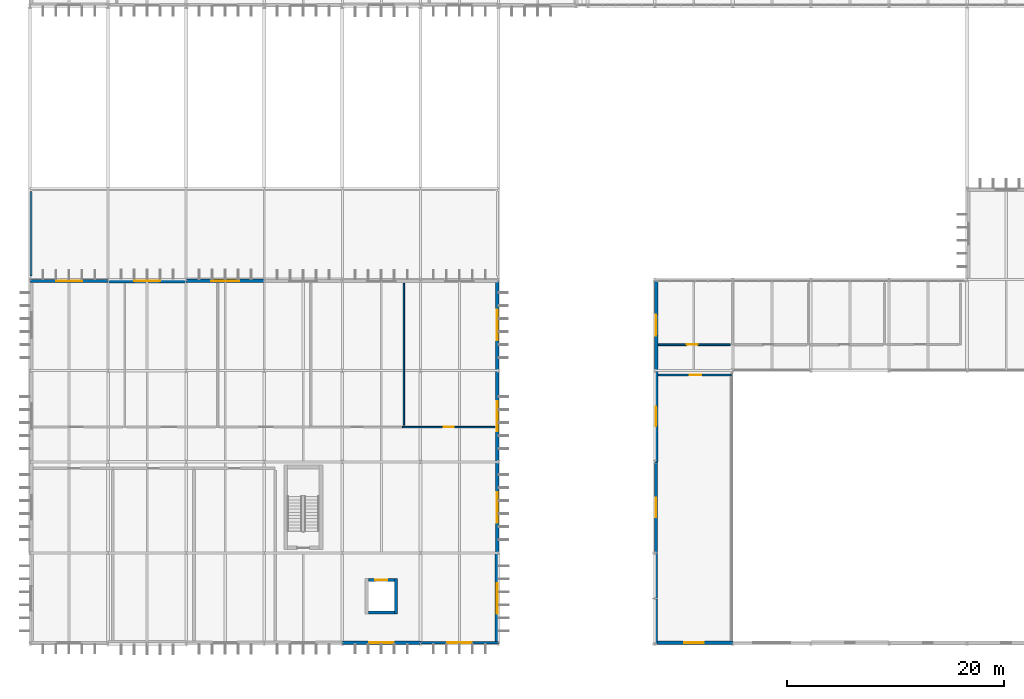
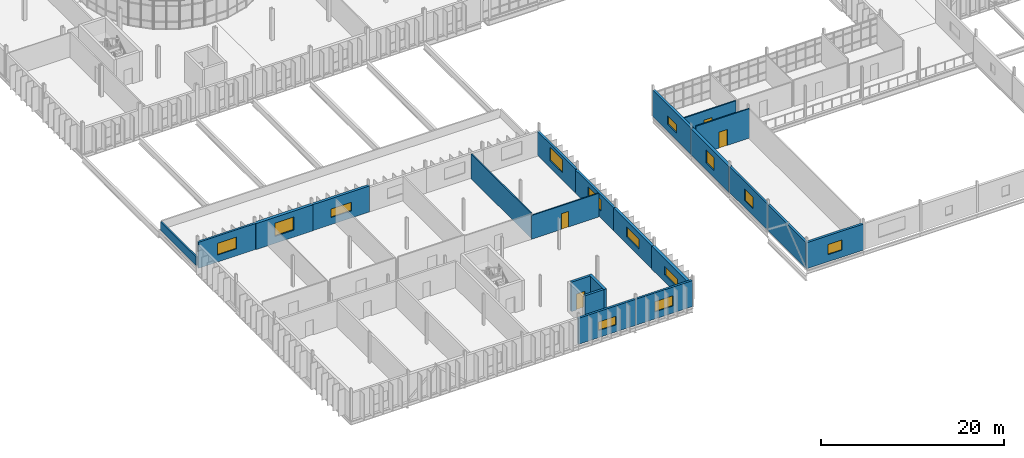
# One storey, part 92 of 119: 22 walls, 13 windows, 4 doors, 17 openings.
"""IFC4 building model written with IfcOpenShell, lengths in metres."""

from ifc_helpers import new_model, si_unit, direction, frame, frame_2d, origin, place, context, subcontext, project, spatial, rectangle, extrude, material, layer, layer_set, type_object, element, fill, save


model = new_model("IFC4")

# Units and contexts
model_context = context("Model", 3, precision=1e-05, world=origin(), true_north=direction((0.0, 1.0)))
body_context = subcontext(model_context, "Body", "Model", "MODEL_VIEW")
ifc_project = project(units=[si_unit("LENGTHUNIT", "METRE"), si_unit("AREAUNIT", "SQUARE_METRE"), si_unit("VOLUMEUNIT", "CUBIC_METRE"), si_unit("PLANEANGLEUNIT", "RADIAN"), si_unit("MASSUNIT", "GRAM", prefix="KILO")], contexts=[model_context])

# Site, building, storey
site_placement = place(None, origin())
site = spatial("IfcSite", under=ifc_project, at=site_placement, CompositionType="ELEMENT")
building_placement = place(site_placement, origin())
building = spatial("IfcBuilding", under=site, at=building_placement, Name="Qelthora Terrace Specialist Clinic", CompositionType="ELEMENT")
storey_placement = place(building_placement, frame((0.0, 0.0, 4.800048828125)))
storey = spatial("IfcBuildingStorey", under=building, at=storey_placement, Name="L01", CompositionType="ELEMENT", Elevation=4.800048828125)

# Wall
ifc_material_1 = material(Name="Concrete C40/50", Category="concrete")
ifc_layer_1 = layer(ifc_material_1, 0.300048828125)
ifc_layer_set_1 = layer_set([ifc_layer_1], Name="Concrete C40/50")
wall_type_1 = type_object("IfcWallType", Name="WAL-CORE-300-C40", PredefinedType="SHEAR", material=ifc_layer_set_1)
wall_1_placement = place(storey_placement, frame((33.75, 2.75, 0.0), z_axis=(0.0, 0.0, 1.0), x_axis=(0.0, 1.0, 0.0)))
element("IfcWall", 1, at=wall_1_placement, inside=storey, type_object=wall_type_1, Name="Lift PL-03 L01 east shaft wall", PredefinedType="SHEAR", context=body_context, shape_type="SweptSolid", body=[
    extrude(rectangle(XDim=3.300048828125, YDim=0.300048828125, at=frame_2d((1.64990234375, 0.0))), origin(), (0.0, 0.0, 1.0), 3.9599609375),
])

# Wall, opening, door
wall_2_placement = place(storey_placement, frame((31.199951171875, 5.89990234375, 0.0), z_axis=(0.0, 0.0, 1.0), x_axis=(1.0, 0.0, 0.0)))
wall_2 = element("IfcWall", 2, at=wall_2_placement, inside=storey, type_object=wall_type_1, Name="Lift PL-03 L01 north shaft wall", PredefinedType="SHEAR", context=body_context, shape_type="SweptSolid", body=[
    extrude(rectangle(XDim=2.400146484375, YDim=0.300048828125, at=frame_2d((1.2001953125, 0.0))), origin(), (0.0, 0.0, 1.0), 3.9599609375),
])
opening_1_placement = place(wall_2_placement, frame((0.64990234375, 0.0, 0.0)))
opening_1 = element("IfcOpeningElement", 3, at=opening_1_placement, cuts=wall_2, Name="Opening LD-PL-03-L01", PredefinedType="OPENING", context=body_context, shape_type="SweptSolid", body=[
    extrude(rectangle(XDim=1.10009765625, YDim=2.14990234375, at=frame_2d((0.550048828125, 1.074951171875))), frame((0.0, 0.159912109375, 0.0), z_axis=(0.0, -1.0, 0.0), x_axis=(1.0, 0.0, 0.0)), (0.0, 0.0, 1.0), 0.320068359375),
])
ifc_material_2 = material(Name="Steel S355", Category="steel")
door_type_1 = type_object("IfcDoorType", Name="DOR-LIFT-1100X2150", OperationType="NOTDEFINED", PredefinedType="DOOR", material=ifc_material_2)
door_1_placement = place(opening_1_placement, origin())
door_1 = element("IfcDoor", 4, at=door_1_placement, inside=storey, type_object=door_type_1, Name="Lift landing sliding door LD-PL-03-L01", OperationType="DOUBLE_DOOR_SLIDING", OverallHeight=2.14990234375, OverallWidth=1.10009765625, PredefinedType="DOOR", context=body_context, shape_type="SweptSolid", body=[
    extrude(rectangle(XDim=1.10009765625, YDim=2.14990234375, at=frame_2d((0.550048828125, 1.074951171875))), frame((0.0, 0.02490234375, 0.0), z_axis=(0.0, -1.0, 0.0), x_axis=(1.0, 0.0, 0.0)), (0.0, 0.0, 1.0), 0.050048828125),
])
fill(opening_1, door_1)

# Wall
wall_3_placement = place(storey_placement, frame((31.199951171875, 2.89990234375, 0.0), z_axis=(0.0, 0.0, 1.0), x_axis=(1.0, 0.0, 0.0)))
element("IfcWall", 5, at=wall_3_placement, inside=storey, type_object=wall_type_1, Name="Lift PL-03 L01 south shaft wall", PredefinedType="SHEAR", context=body_context, shape_type="SweptSolid", body=[
    extrude(rectangle(XDim=2.400146484375, YDim=0.300048828125, at=frame_2d((1.2001953125, 0.0))), origin(), (0.0, 0.0, 1.0), 3.9599609375),
])

# Wall, opening, window
ifc_material_3 = material(Name="Precast concrete C40/50", Category="concrete")
ifc_layer_2 = layer(ifc_material_3, 0.260009765625)
ifc_layer_set_2 = layer_set([ifc_layer_2], Name="Precast concrete C40/50")
wall_type_2 = type_object("IfcWallType", Name="WAL-EXT-260-PC40", PredefinedType="SOLIDWALL", material=ifc_layer_set_2)
wall_4_placement = place(storey_placement, frame((57.719970703125, 8.39990234375, 0.0), z_axis=(0.0, 0.0, 1.0), x_axis=(0.0, 1.0, 0.0)))
wall_4 = element("IfcWall", 6, at=wall_4_placement, inside=storey, type_object=wall_type_2, Name="L01 external precast wall 114", PredefinedType="SOLIDWALL", context=body_context, shape_type="SweptSolid", body=[
    extrude(rectangle(XDim=8.400146484375, YDim=0.260009765625, at=frame_2d((4.2001953125, 0.0))), origin(), (0.0, 0.0, 1.0), 3.475830078125),
])
opening_2_placement = place(wall_4_placement, frame((3.300048828125, 0.0, 0.949951171875)))
opening_2 = element("IfcOpeningElement", 7, at=opening_2_placement, cuts=wall_4, Name="Opening WN-L01-087", PredefinedType="OPENING", context=body_context, shape_type="SweptSolid", body=[
    extrude(rectangle(XDim=1.800048828125, YDim=1.550048828125, at=frame_2d((0.89990234375, 0.77490234375))), frame((0.0, 0.139892578125, 0.0), z_axis=(0.0, -1.0, 0.0), x_axis=(1.0, 0.0, 0.0)), (0.0, 0.0, 1.0), 0.280029296875),
])
ifc_material_4 = material(Name="Low-E triple-silver insulating glass", Category="glass")
window_type_1 = type_object("IfcWindowType", Name="WIN-1800X1550", PartitioningType="DOUBLE_PANEL_VERTICAL", PredefinedType="WINDOW", material=ifc_material_4)
window_1_placement = place(opening_2_placement, origin())
window_1 = element("IfcWindow", 8, at=window_1_placement, inside=storey, type_object=window_type_1, Name="Clinical window WN-L01-087", OverallHeight=1.550048828125, OverallWidth=1.800048828125, PartitioningType="SINGLE_PANEL", PredefinedType="WINDOW", context=body_context, shape_type="SweptSolid", body=[
    extrude(rectangle(XDim=1.800048828125, YDim=1.550048828125, at=frame_2d((0.89990234375, 0.77490234375))), frame((0.0, 0.030029296875, 0.0), z_axis=(0.0, -1.0, 0.0), x_axis=(1.0, 0.0, 0.0)), (0.0, 0.0, 1.0), 0.06005859375),
])
fill(opening_2, window_1)

wall_5_placement = place(storey_placement, frame((36.0, 0.1201171875, 0.0), z_axis=(0.0, 0.0, 1.0), x_axis=(1.0, 0.0, 0.0)))
wall_5 = element("IfcWall", 9, at=wall_5_placement, inside=storey, type_object=wall_type_2, Name="L01 external precast wall 194", PredefinedType="SOLIDWALL", context=body_context, shape_type="SweptSolid", body=[
    extrude(rectangle(XDim=7.199951171875, YDim=0.260009765625, at=frame_2d((3.60009765625, 0.0))), origin(), (0.0, 0.0, 1.0), 3.47802734375),
])
opening_3_placement = place(wall_5_placement, frame((2.47509765625, 0.0, 0.949951171875)))
opening_3 = element("IfcOpeningElement", 10, at=opening_3_placement, cuts=wall_5, Name="Opening WN-L01-162", PredefinedType="OPENING", context=body_context, shape_type="SweptSolid", body=[
    extrude(rectangle(XDim=2.25, YDim=1.35009765625, at=frame_2d((1.125, 0.675048828125))), frame((0.0, 0.139892578125, 0.0), z_axis=(0.0, -1.0, 0.0), x_axis=(1.0, 0.0, 0.0)), (0.0, 0.0, 1.0), 0.280029296875),
])
window_type_2 = type_object("IfcWindowType", Name="WIN-2250X1350", PartitioningType="DOUBLE_PANEL_VERTICAL", PredefinedType="WINDOW", material=ifc_material_4)
window_2_placement = place(opening_3_placement, origin())
window_2 = element("IfcWindow", 11, at=window_2_placement, inside=storey, type_object=window_type_2, Name="Clinical window WN-L01-162", OverallHeight=1.35009765625, OverallWidth=2.25, PartitioningType="SINGLE_PANEL", PredefinedType="WINDOW", context=body_context, shape_type="SweptSolid", body=[
    extrude(rectangle(XDim=2.25, YDim=1.35009765625, at=frame_2d((1.125, 0.675048828125))), frame((0.0, 0.030029296875, 0.0), z_axis=(0.0, -1.0, 0.0), x_axis=(1.0, 0.0, 0.0)), (0.0, 0.0, 1.0), 0.06005859375),
])
fill(opening_3, window_2)

wall_6_placement = place(storey_placement, frame((0.0, 33.47998046875, 0.0), z_axis=(0.0, 0.0, 1.0), x_axis=(1.0, 0.0, 0.0)))
wall_6 = element("IfcWall", 12, at=wall_6_placement, inside=storey, type_object=wall_type_2, Name="L01 external precast wall 199", PredefinedType="SOLIDWALL", context=body_context, shape_type="SweptSolid", body=[
    extrude(rectangle(XDim=7.199951171875, YDim=0.260009765625, at=frame_2d((3.60009765625, 0.0))), origin(), (0.0, 0.0, 1.0), 3.48193359375),
])
opening_4_placement = place(wall_6_placement, frame((2.39990234375, 0.0, 0.949951171875)))
opening_4 = element("IfcOpeningElement", 13, at=opening_4_placement, cuts=wall_6, Name="Opening WN-L01-167", PredefinedType="OPENING", context=body_context, shape_type="SweptSolid", body=[
    extrude(rectangle(XDim=2.39990234375, YDim=1.550048828125, at=frame_2d((1.199951171875, 0.77490234375))), frame((0.0, 0.139892578125, 0.0), z_axis=(0.0, -1.0, 0.0), x_axis=(1.0, 0.0, 0.0)), (0.0, 0.0, 1.0), 0.280029296875),
])
window_type_3 = type_object("IfcWindowType", Name="WIN-2400X1550", PartitioningType="DOUBLE_PANEL_VERTICAL", PredefinedType="WINDOW", material=ifc_material_4)
window_3_placement = place(opening_4_placement, origin())
window_3 = element("IfcWindow", 14, at=window_3_placement, inside=storey, type_object=window_type_3, Name="Clinical window WN-L01-167", OverallHeight=1.550048828125, OverallWidth=2.39990234375, PartitioningType="SINGLE_PANEL", PredefinedType="WINDOW", context=body_context, shape_type="SweptSolid", body=[
    extrude(rectangle(XDim=2.39990234375, YDim=1.550048828125, at=frame_2d((1.199951171875, 0.77490234375))), frame((0.0, 0.030029296875, 0.0), z_axis=(0.0, -1.0, 0.0), x_axis=(1.0, 0.0, 0.0)), (0.0, 0.0, 1.0), 0.06005859375),
])
fill(opening_4, window_3)

# Wall
ifc_layer_3 = layer(ifc_material_3, 0.280029296875)
ifc_layer_set_3 = layer_set([ifc_layer_3], Name="Precast concrete C40/50")
wall_type_3 = type_object("IfcWallType", Name="WAL-EXT-280-PC40", PredefinedType="SOLIDWALL", material=ifc_layer_set_3)
wall_7_placement = place(storey_placement, frame((57.719970703125, 0.0, 0.0), z_axis=(0.0, 0.0, 1.0), x_axis=(0.0, 1.0, 0.0)))
element("IfcWall", 15, at=wall_7_placement, inside=storey, type_object=wall_type_3, Name="L01 external precast wall 113", PredefinedType="SOLIDWALL", context=body_context, shape_type="SweptSolid", body=[
    extrude(rectangle(XDim=8.39990234375, YDim=0.280029296875, at=frame_2d((4.199951171875, 0.0))), origin(), (0.0, 0.0, 1.0), 3.475830078125),
])

# Wall, opening, window
wall_8_placement = place(storey_placement, frame((28.800048828125, 0.1201171875, 0.0), z_axis=(0.0, 0.0, 1.0), x_axis=(1.0, 0.0, 0.0)))
wall_8 = element("IfcWall", 16, at=wall_8_placement, inside=storey, type_object=wall_type_3, Name="L01 external precast wall 193", PredefinedType="SOLIDWALL", context=body_context, shape_type="SweptSolid", body=[
    extrude(rectangle(XDim=7.199951171875, YDim=0.280029296875, at=frame_2d((3.60009765625, 0.0))), origin(), (0.0, 0.0, 1.0), 3.47802734375),
])
opening_5_placement = place(wall_8_placement, frame((2.47509765625, 0.0, 0.949951171875)))
opening_5 = element("IfcOpeningElement", 17, at=opening_5_placement, cuts=wall_8, Name="Opening WN-L01-161", PredefinedType="OPENING", context=body_context, shape_type="SweptSolid", body=[
    extrude(rectangle(XDim=2.25, YDim=1.14990234375, at=frame_2d((1.125, 0.574951171875))), frame((0.0, 0.14990234375, 0.0), z_axis=(0.0, -1.0, 0.0), x_axis=(1.0, 0.0, 0.0)), (0.0, 0.0, 1.0), 0.300048828125),
])
window_type_4 = type_object("IfcWindowType", Name="WIN-2250X1150", PartitioningType="DOUBLE_PANEL_VERTICAL", PredefinedType="WINDOW", material=ifc_material_4)
window_4_placement = place(opening_5_placement, origin())
window_4 = element("IfcWindow", 18, at=window_4_placement, inside=storey, type_object=window_type_4, Name="Clinical window WN-L01-161", OverallHeight=1.14990234375, OverallWidth=2.25, PartitioningType="SINGLE_PANEL", PredefinedType="WINDOW", context=body_context, shape_type="SweptSolid", body=[
    extrude(rectangle(XDim=2.25, YDim=1.14990234375, at=frame_2d((1.125, 0.574951171875))), frame((0.0, 0.030029296875, 0.0), z_axis=(0.0, -1.0, 0.0), x_axis=(1.0, 0.0, 0.0)), (0.0, 0.0, 1.0), 0.06005859375),
])
fill(opening_5, window_4)

wall_9_placement = place(storey_placement, frame((43.080078125, 25.199951171875, 0.0), z_axis=(0.0, 0.0, 1.0), x_axis=(0.0, 1.0, 0.0)))
wall_9 = element("IfcWall", 19, at=wall_9_placement, inside=storey, type_object=wall_type_3, Name="L01 external precast wall 208", PredefinedType="SOLIDWALL", context=body_context, shape_type="SweptSolid", body=[
    extrude(rectangle(XDim=8.400146484375, YDim=0.280029296875, at=frame_2d((4.2001953125, 0.0))), origin(), (0.0, 0.0, 1.0), 3.16796875),
])
opening_6_placement = place(wall_9_placement, frame((2.800048828125, 0.0, 0.949951171875)))
opening_6 = element("IfcOpeningElement", 20, at=opening_6_placement, cuts=wall_9, Name="Opening WN-L01-176", PredefinedType="OPENING", context=body_context, shape_type="SweptSolid", body=[
    extrude(rectangle(XDim=2.800048828125, YDim=1.75, at=frame_2d((1.39990234375, 0.875))), frame((0.0, 0.14990234375, 0.0), z_axis=(0.0, -1.0, 0.0), x_axis=(1.0, 0.0, 0.0)), (0.0, 0.0, 1.0), 0.300048828125),
])
window_type_5 = type_object("IfcWindowType", Name="WIN-2800X1750", PartitioningType="DOUBLE_PANEL_VERTICAL", PredefinedType="WINDOW", material=ifc_material_4)
window_5_placement = place(opening_6_placement, origin())
window_5 = element("IfcWindow", 21, at=window_5_placement, inside=storey, type_object=window_type_5, Name="Clinical window WN-L01-176", OverallHeight=1.75, OverallWidth=2.800048828125, PartitioningType="SINGLE_PANEL", PredefinedType="WINDOW", context=body_context, shape_type="SweptSolid", body=[
    extrude(rectangle(XDim=2.800048828125, YDim=1.75, at=frame_2d((1.39990234375, 0.875))), frame((0.0, 0.030029296875, 0.0), z_axis=(0.0, -1.0, 0.0), x_axis=(1.0, 0.0, 0.0)), (0.0, 0.0, 1.0), 0.06005859375),
])
fill(opening_6, window_5)

ifc_layer_4 = layer(ifc_material_3, 0.300048828125)
ifc_layer_set_4 = layer_set([ifc_layer_4], Name="Precast concrete C40/50")
wall_type_4 = type_object("IfcWallType", Name="WAL-EXT-300-PC40", PredefinedType="SOLIDWALL", material=ifc_layer_set_4)
wall_10_placement = place(storey_placement, frame((57.60009765625, 0.1201171875, 0.0), z_axis=(0.0, 0.0, 1.0), x_axis=(1.0, 0.0, 0.0)))
wall_10 = element("IfcWall", 22, at=wall_10_placement, inside=storey, type_object=wall_type_4, Name="L01 external precast wall 112", PredefinedType="SOLIDWALL", context=body_context, shape_type="SweptSolid", body=[
    extrude(rectangle(XDim=7.199951171875, YDim=0.300048828125, at=frame_2d((3.60009765625, 0.0))), origin(), (0.0, 0.0, 1.0), 3.48193359375),
])
opening_7_placement = place(wall_10_placement, frame((2.699951171875, 0.0, 0.949951171875)))
opening_7 = element("IfcOpeningElement", 23, at=opening_7_placement, cuts=wall_10, Name="Opening WN-L01-086", PredefinedType="OPENING", context=body_context, shape_type="SweptSolid", body=[
    extrude(rectangle(XDim=1.800048828125, YDim=1.35009765625, at=frame_2d((0.89990234375, 0.675048828125))), frame((0.0, 0.159912109375, 0.0), z_axis=(0.0, -1.0, 0.0), x_axis=(1.0, 0.0, 0.0)), (0.0, 0.0, 1.0), 0.320068359375),
])
window_type_6 = type_object("IfcWindowType", Name="WIN-1800X1350", PartitioningType="DOUBLE_PANEL_VERTICAL", PredefinedType="WINDOW", material=ifc_material_4)
window_6_placement = place(opening_7_placement, origin())
window_6 = element("IfcWindow", 24, at=window_6_placement, inside=storey, type_object=window_type_6, Name="Clinical window WN-L01-086", OverallHeight=1.35009765625, OverallWidth=1.800048828125, PartitioningType="SINGLE_PANEL", PredefinedType="WINDOW", context=body_context, shape_type="SweptSolid", body=[
    extrude(rectangle(XDim=1.800048828125, YDim=1.35009765625, at=frame_2d((0.89990234375, 0.675048828125))), frame((0.0, 0.030029296875, 0.0), z_axis=(0.0, -1.0, 0.0), x_axis=(1.0, 0.0, 0.0)), (0.0, 0.0, 1.0), 0.06005859375),
])
fill(opening_7, window_6)

wall_11_placement = place(storey_placement, frame((43.080078125, 16.800048828125, 0.0), z_axis=(0.0, 0.0, 1.0), x_axis=(0.0, 1.0, 0.0)))
wall_11 = element("IfcWall", 25, at=wall_11_placement, inside=storey, type_object=wall_type_4, Name="L01 external precast wall 207", PredefinedType="SOLIDWALL", context=body_context, shape_type="SweptSolid", body=[
    extrude(rectangle(XDim=8.39990234375, YDim=0.300048828125, at=frame_2d((4.199951171875, 0.0))), origin(), (0.0, 0.0, 1.0), 3.0869140625),
])
opening_8_placement = place(wall_11_placement, frame((2.800048828125, 0.0, 0.949951171875)))
opening_8 = element("IfcOpeningElement", 26, at=opening_8_placement, cuts=wall_11, Name="Opening WN-L01-175", PredefinedType="OPENING", context=body_context, shape_type="SweptSolid", body=[
    extrude(rectangle(XDim=2.800048828125, YDim=1.550048828125, at=frame_2d((1.39990234375, 0.77490234375))), frame((0.0, 0.159912109375, 0.0), z_axis=(0.0, -1.0, 0.0), x_axis=(1.0, 0.0, 0.0)), (0.0, 0.0, 1.0), 0.320068359375),
])
window_type_7 = type_object("IfcWindowType", Name="WIN-2800X1550", PartitioningType="DOUBLE_PANEL_VERTICAL", PredefinedType="WINDOW", material=ifc_material_4)
window_7_placement = place(opening_8_placement, origin())
window_7 = element("IfcWindow", 27, at=window_7_placement, inside=storey, type_object=window_type_7, Name="Clinical window WN-L01-175", OverallHeight=1.550048828125, OverallWidth=2.800048828125, PartitioningType="SINGLE_PANEL", PredefinedType="WINDOW", context=body_context, shape_type="SweptSolid", body=[
    extrude(rectangle(XDim=2.800048828125, YDim=1.550048828125, at=frame_2d((1.39990234375, 0.77490234375))), frame((0.0, 0.030029296875, 0.0), z_axis=(0.0, -1.0, 0.0), x_axis=(1.0, 0.0, 0.0)), (0.0, 0.0, 1.0), 0.06005859375),
])
fill(opening_8, window_7)

ifc_layer_5 = layer(ifc_material_3, 0.320068359375)
ifc_layer_set_5 = layer_set([ifc_layer_5], Name="Precast concrete C40/50")
wall_type_5 = type_object("IfcWallType", Name="WAL-EXT-320-PC40", PredefinedType="SOLIDWALL", material=ifc_layer_set_5)
wall_12_placement = place(storey_placement, frame((57.719970703125, 25.199951171875, 0.0), z_axis=(0.0, 0.0, 1.0), x_axis=(0.0, 1.0, 0.0)))
wall_12 = element("IfcWall", 28, at=wall_12_placement, inside=storey, type_object=wall_type_5, Name="L01 external precast wall 116", PredefinedType="SOLIDWALL", context=body_context, shape_type="SweptSolid", body=[
    extrude(rectangle(XDim=8.400146484375, YDim=0.320068359375, at=frame_2d((4.2001953125, 0.0))), origin(), (0.0, 0.0, 1.0), 3.529052734375),
])
opening_9_placement = place(wall_12_placement, frame((3.22509765625, 0.0, 0.949951171875)))
opening_9 = element("IfcOpeningElement", 29, at=opening_9_placement, cuts=wall_12, Name="Opening WN-L01-089", PredefinedType="OPENING", context=body_context, shape_type="SweptSolid", body=[
    extrude(rectangle(XDim=1.949951171875, YDim=1.14990234375, at=frame_2d((0.97509765625, 0.574951171875))), frame((0.0, 0.169921875, 0.0), z_axis=(0.0, -1.0, 0.0), x_axis=(1.0, 0.0, 0.0)), (0.0, 0.0, 1.0), 0.340087890625),
])
window_type_8 = type_object("IfcWindowType", Name="WIN-1950X1150", PartitioningType="DOUBLE_PANEL_VERTICAL", PredefinedType="WINDOW", material=ifc_material_4)
window_8_placement = place(opening_9_placement, origin())
window_8 = element("IfcWindow", 30, at=window_8_placement, inside=storey, type_object=window_type_8, Name="Clinical window WN-L01-089", OverallHeight=1.14990234375, OverallWidth=1.949951171875, PartitioningType="SINGLE_PANEL", PredefinedType="WINDOW", context=body_context, shape_type="SweptSolid", body=[
    extrude(rectangle(XDim=1.949951171875, YDim=1.14990234375, at=frame_2d((0.97509765625, 0.574951171875))), frame((0.0, 0.030029296875, 0.0), z_axis=(0.0, -1.0, 0.0), x_axis=(1.0, 0.0, 0.0)), (0.0, 0.0, 1.0), 0.06005859375),
])
fill(opening_9, window_8)

wall_13_placement = place(storey_placement, frame((14.39990234375, 33.47998046875, 0.0), z_axis=(0.0, 0.0, 1.0), x_axis=(1.0, 0.0, 0.0)))
wall_13 = element("IfcWall", 31, at=wall_13_placement, inside=storey, type_object=wall_type_5, Name="L01 external precast wall 201", PredefinedType="SOLIDWALL", context=body_context, shape_type="SweptSolid", body=[
    extrude(rectangle(XDim=7.2001953125, YDim=0.320068359375, at=frame_2d((3.60009765625, 0.0))), origin(), (0.0, 0.0, 1.0), 3.48193359375),
])
opening_10_placement = place(wall_13_placement, frame((2.300048828125, 0.0, 0.949951171875)))
opening_10 = element("IfcOpeningElement", 32, at=opening_10_placement, cuts=wall_13, Name="Opening WN-L01-169", PredefinedType="OPENING", context=body_context, shape_type="SweptSolid", body=[
    extrude(rectangle(XDim=2.60009765625, YDim=1.14990234375, at=frame_2d((1.300048828125, 0.574951171875))), frame((0.0, 0.169921875, 0.0), z_axis=(0.0, -1.0, 0.0), x_axis=(1.0, 0.0, 0.0)), (0.0, 0.0, 1.0), 0.340087890625),
])
window_type_9 = type_object("IfcWindowType", Name="WIN-2600X1150", PartitioningType="DOUBLE_PANEL_VERTICAL", PredefinedType="WINDOW", material=ifc_material_4)
window_9_placement = place(opening_10_placement, origin())
window_9 = element("IfcWindow", 33, at=window_9_placement, inside=storey, type_object=window_type_9, Name="Clinical window WN-L01-169", OverallHeight=1.14990234375, OverallWidth=2.60009765625, PartitioningType="SINGLE_PANEL", PredefinedType="WINDOW", context=body_context, shape_type="SweptSolid", body=[
    extrude(rectangle(XDim=2.60009765625, YDim=1.14990234375, at=frame_2d((1.300048828125, 0.574951171875))), frame((0.0, 0.030029296875, 0.0), z_axis=(0.0, -1.0, 0.0), x_axis=(1.0, 0.0, 0.0)), (0.0, 0.0, 1.0), 0.06005859375),
])
fill(opening_10, window_9)

wall_14_placement = place(storey_placement, frame((43.080078125, 8.39990234375, 0.0), z_axis=(0.0, 0.0, 1.0), x_axis=(0.0, 1.0, 0.0)))
wall_14 = element("IfcWall", 34, at=wall_14_placement, inside=storey, type_object=wall_type_5, Name="L01 external precast wall 206", PredefinedType="SOLIDWALL", context=body_context, shape_type="SweptSolid", body=[
    extrude(rectangle(XDim=8.400146484375, YDim=0.320068359375, at=frame_2d((4.2001953125, 0.0))), origin(), (0.0, 0.0, 1.0), 3.0869140625),
])
opening_11_placement = place(wall_14_placement, frame((2.800048828125, 0.0, 0.949951171875)))
opening_11 = element("IfcOpeningElement", 35, at=opening_11_placement, cuts=wall_14, Name="Opening WN-L01-174", PredefinedType="OPENING", context=body_context, shape_type="SweptSolid", body=[
    extrude(rectangle(XDim=2.800048828125, YDim=1.35009765625, at=frame_2d((1.39990234375, 0.675048828125))), frame((0.0, 0.169921875, 0.0), z_axis=(0.0, -1.0, 0.0), x_axis=(1.0, 0.0, 0.0)), (0.0, 0.0, 1.0), 0.340087890625),
])
window_type_10 = type_object("IfcWindowType", Name="WIN-2800X1350", PartitioningType="DOUBLE_PANEL_VERTICAL", PredefinedType="WINDOW", material=ifc_material_4)
window_10_placement = place(opening_11_placement, origin())
window_10 = element("IfcWindow", 36, at=window_10_placement, inside=storey, type_object=window_type_10, Name="Clinical window WN-L01-174", OverallHeight=1.35009765625, OverallWidth=2.800048828125, PartitioningType="SINGLE_PANEL", PredefinedType="WINDOW", context=body_context, shape_type="SweptSolid", body=[
    extrude(rectangle(XDim=2.800048828125, YDim=1.35009765625, at=frame_2d((1.39990234375, 0.675048828125))), frame((0.0, 0.030029296875, 0.0), z_axis=(0.0, -1.0, 0.0), x_axis=(1.0, 0.0, 0.0)), (0.0, 0.0, 1.0), 0.06005859375),
])
fill(opening_11, window_10)

ifc_layer_6 = layer(ifc_material_3, 0.3798828125)
ifc_layer_set_6 = layer_set([ifc_layer_6], Name="Precast concrete C40/50")
wall_type_6 = type_object("IfcWallType", Name="WAL-EXT-380-PC40", PredefinedType="SOLIDWALL", material=ifc_layer_set_6)
wall_15_placement = place(storey_placement, frame((57.719970703125, 16.800048828125, 0.0), z_axis=(0.0, 0.0, 1.0), x_axis=(0.0, 1.0, 0.0)))
wall_15 = element("IfcWall", 37, at=wall_15_placement, inside=storey, type_object=wall_type_6, Name="L01 external precast wall 115", PredefinedType="SOLIDWALL", context=body_context, shape_type="SweptSolid", body=[
    extrude(rectangle(XDim=8.39990234375, YDim=0.3798828125, at=frame_2d((4.199951171875, 0.0))), origin(), (0.0, 0.0, 1.0), 3.48193359375),
])
opening_12_placement = place(wall_15_placement, frame((3.300048828125, 0.0, 0.949951171875)))
opening_12 = element("IfcOpeningElement", 38, at=opening_12_placement, cuts=wall_15, Name="Opening WN-L01-088", PredefinedType="OPENING", context=body_context, shape_type="SweptSolid", body=[
    extrude(rectangle(XDim=1.800048828125, YDim=1.75, at=frame_2d((0.89990234375, 0.875))), frame((0.0, 0.199951171875, 0.0), z_axis=(0.0, -1.0, 0.0), x_axis=(1.0, 0.0, 0.0)), (0.0, 0.0, 1.0), 0.39990234375),
])
window_type_11 = type_object("IfcWindowType", Name="WIN-1800X1750", PartitioningType="DOUBLE_PANEL_VERTICAL", PredefinedType="WINDOW", material=ifc_material_4)
window_11_placement = place(opening_12_placement, origin())
window_11 = element("IfcWindow", 39, at=window_11_placement, inside=storey, type_object=window_type_11, Name="Clinical window WN-L01-088", OverallHeight=1.75, OverallWidth=1.800048828125, PartitioningType="SINGLE_PANEL", PredefinedType="WINDOW", context=body_context, shape_type="SweptSolid", body=[
    extrude(rectangle(XDim=1.800048828125, YDim=1.75, at=frame_2d((0.89990234375, 0.875))), frame((0.0, 0.030029296875, 0.0), z_axis=(0.0, -1.0, 0.0), x_axis=(1.0, 0.0, 0.0)), (0.0, 0.0, 1.0), 0.06005859375),
])
fill(opening_12, window_11)

wall_16_placement = place(storey_placement, frame((7.199951171875, 33.47998046875, 0.0), z_axis=(0.0, 0.0, 1.0), x_axis=(1.0, 0.0, 0.0)))
wall_16 = element("IfcWall", 40, at=wall_16_placement, inside=storey, type_object=wall_type_6, Name="L01 external precast wall 200", PredefinedType="SOLIDWALL", context=body_context, shape_type="SweptSolid", body=[
    extrude(rectangle(XDim=7.199951171875, YDim=0.3798828125, at=frame_2d((3.60009765625, 0.0))), origin(), (0.0, 0.0, 1.0), 3.48193359375),
])
opening_13_placement = place(wall_16_placement, frame((2.39990234375, 0.0, 0.949951171875)))
opening_13 = element("IfcOpeningElement", 41, at=opening_13_placement, cuts=wall_16, Name="Opening WN-L01-168", PredefinedType="OPENING", context=body_context, shape_type="SweptSolid", body=[
    extrude(rectangle(XDim=2.39990234375, YDim=1.75, at=frame_2d((1.199951171875, 0.875))), frame((0.0, 0.199951171875, 0.0), z_axis=(0.0, -1.0, 0.0), x_axis=(1.0, 0.0, 0.0)), (0.0, 0.0, 1.0), 0.39990234375),
])
window_type_12 = type_object("IfcWindowType", Name="WIN-2400X1750", PartitioningType="DOUBLE_PANEL_VERTICAL", PredefinedType="WINDOW", material=ifc_material_4)
window_12_placement = place(opening_13_placement, origin())
window_12 = element("IfcWindow", 42, at=window_12_placement, inside=storey, type_object=window_type_12, Name="Clinical window WN-L01-168", OverallHeight=1.75, OverallWidth=2.39990234375, PartitioningType="SINGLE_PANEL", PredefinedType="WINDOW", context=body_context, shape_type="SweptSolid", body=[
    extrude(rectangle(XDim=2.39990234375, YDim=1.75, at=frame_2d((1.199951171875, 0.875))), frame((0.0, 0.030029296875, 0.0), z_axis=(0.0, -1.0, 0.0), x_axis=(1.0, 0.0, 0.0)), (0.0, 0.0, 1.0), 0.06005859375),
])
fill(opening_13, window_12)

wall_17_placement = place(storey_placement, frame((43.080078125, 0.0, 0.0), z_axis=(0.0, 0.0, 1.0), x_axis=(0.0, 1.0, 0.0)))
wall_17 = element("IfcWall", 43, at=wall_17_placement, inside=storey, type_object=wall_type_6, Name="L01 external precast wall 205", PredefinedType="SOLIDWALL", context=body_context, shape_type="SweptSolid", body=[
    extrude(rectangle(XDim=8.39990234375, YDim=0.3798828125, at=frame_2d((4.199951171875, 0.0))), origin(), (0.0, 0.0, 1.0), 3.0869140625),
])
opening_14_placement = place(wall_17_placement, frame((2.800048828125, 0.0, 0.949951171875)))
opening_14 = element("IfcOpeningElement", 44, at=opening_14_placement, cuts=wall_17, Name="Opening WN-L01-173", PredefinedType="OPENING", context=body_context, shape_type="SweptSolid", body=[
    extrude(rectangle(XDim=2.800048828125, YDim=1.14990234375, at=frame_2d((1.39990234375, 0.574951171875))), frame((0.0, 0.199951171875, 0.0), z_axis=(0.0, -1.0, 0.0), x_axis=(1.0, 0.0, 0.0)), (0.0, 0.0, 1.0), 0.39990234375),
])
window_type_13 = type_object("IfcWindowType", Name="WIN-2800X1150", PartitioningType="DOUBLE_PANEL_VERTICAL", PredefinedType="WINDOW", material=ifc_material_4)
window_13_placement = place(opening_14_placement, origin())
window_13 = element("IfcWindow", 45, at=window_13_placement, inside=storey, type_object=window_type_13, Name="Clinical window WN-L01-173", OverallHeight=1.14990234375, OverallWidth=2.800048828125, PartitioningType="SINGLE_PANEL", PredefinedType="WINDOW", context=body_context, shape_type="SweptSolid", body=[
    extrude(rectangle(XDim=2.800048828125, YDim=1.14990234375, at=frame_2d((1.39990234375, 0.574951171875))), frame((0.0, 0.030029296875, 0.0), z_axis=(0.0, -1.0, 0.0), x_axis=(1.0, 0.0, 0.0)), (0.0, 0.0, 1.0), 0.06005859375),
])
fill(opening_14, window_13)

# Wall, opening, door
ifc_material_5 = material(Name="Gypsum fire-rated wallboard", Category="gypsum")
ifc_layer_7 = layer(ifc_material_5, 0.159912109375)
ifc_layer_set_7 = layer_set([ifc_layer_7], Name="Gypsum fire-rated wallboard")
wall_type_7 = type_object("IfcWallType", Name="WAL-INT-COR-160", PredefinedType="PARTITIONING", material=ifc_layer_set_7)
wall_18_placement = place(storey_placement, frame((57.93994140625, 24.800048828125, 0.0), z_axis=(0.0, 0.0, 1.0), x_axis=(1.0, 0.0, 0.0)))
wall_18 = element("IfcWall", 46, at=wall_18_placement, inside=storey, type_object=wall_type_7, Name="Interior clinical partition IWAL-L01-0145", PredefinedType="PARTITIONING", context=body_context, shape_type="SweptSolid", body=[
    extrude(rectangle(XDim=6.7099609375, YDim=0.159912109375, at=frame_2d((3.35498046875, 0.0))), origin(), (0.0, 0.0, 1.0), 3.945068359375),
])
opening_15_placement = place(wall_18_placement, frame((2.905029296875, 0.0, 0.0)))
opening_15 = element("IfcOpeningElement", 47, at=opening_15_placement, cuts=wall_18, Name="Opening DI-L01-0055", PredefinedType="OPENING", context=body_context, shape_type="SweptSolid", body=[
    extrude(rectangle(XDim=1.0400390625, YDim=2.14990234375, at=frame_2d((0.52001953125, 1.074951171875))), frame((0.0, 0.08984375, 0.0), z_axis=(0.0, -1.0, 0.0), x_axis=(1.0, 0.0, 0.0)), (0.0, 0.0, 1.0), 0.179931640625),
])
ifc_material_6 = material(Name="Glulam timber GL28h", Category="wood")
door_type_2 = type_object("IfcDoorType", Name="DOR-CON-1040X2150", OperationType="NOTDEFINED", PredefinedType="DOOR", material=ifc_material_6)
door_2_placement = place(opening_15_placement, frame((1.0400390625, 0.0, 0.0), z_axis=(0.0, 0.0, 1.0), x_axis=(-1.0, 0.0, 0.0)))
door_2 = element("IfcDoor", 48, at=door_2_placement, inside=storey, type_object=door_type_2, Name="Interior clinical door DI-L01-0055", OperationType="SINGLE_SWING_RIGHT", OverallHeight=2.14990234375, OverallWidth=1.0400390625, PredefinedType="DOOR", context=body_context, shape_type="SweptSolid", body=[
    extrude(rectangle(XDim=1.0400390625, YDim=2.14990234375, at=frame_2d((0.52001953125, 1.074951171875))), frame((0.0, 0.02490234375, 0.0), z_axis=(0.0, -1.0, 0.0), x_axis=(1.0, 0.0, 0.0)), (0.0, 0.0, 1.0), 0.050048828125),
])
fill(opening_15, door_2)

wall_19_placement = place(storey_placement, frame((64.58251953125, 27.60009765625, 0.0), z_axis=(0.0, 0.0, 1.0), x_axis=(-1.0, 0.0, 0.0)))
wall_19 = element("IfcWall", 49, at=wall_19_placement, inside=storey, type_object=wall_type_7, Name="Interior clinical partition IWAL-L01-0148", PredefinedType="PARTITIONING", context=body_context, shape_type="SweptSolid", body=[
    extrude(rectangle(XDim=6.642578125, YDim=0.159912109375, at=frame_2d((3.3212890625, 0.0))), origin(), (0.0, 0.0, 1.0), 3.327880859375),
])
opening_16_placement = place(wall_19_placement, frame((3.021240234375, 0.0, 0.0)))
opening_16 = element("IfcOpeningElement", 50, at=opening_16_placement, cuts=wall_19, Name="Opening DI-L01-0056", PredefinedType="OPENING", context=body_context, shape_type="SweptSolid", body=[
    extrude(rectangle(XDim=1.0, YDim=2.14990234375, at=frame_2d((0.5, 1.074951171875))), frame((0.0, 0.08984375, 0.0), z_axis=(0.0, -1.0, 0.0), x_axis=(1.0, 0.0, 0.0)), (0.0, 0.0, 1.0), 0.179931640625),
])
door_type_3 = type_object("IfcDoorType", Name="DOR-CON-1000X2150", OperationType="NOTDEFINED", PredefinedType="DOOR", material=ifc_material_6)
door_3_placement = place(opening_16_placement, frame((1.0, 0.0, 0.0), z_axis=(0.0, 0.0, 1.0), x_axis=(-1.0, 0.0, 0.0)))
door_3 = element("IfcDoor", 51, at=door_3_placement, inside=storey, type_object=door_type_3, Name="Interior clinical door DI-L01-0056", OperationType="SINGLE_SWING_LEFT", OverallHeight=2.14990234375, OverallWidth=1.0, PredefinedType="DOOR", context=body_context, shape_type="SweptSolid", body=[
    extrude(rectangle(XDim=1.0, YDim=2.14990234375, at=frame_2d((0.5, 1.074951171875))), frame((0.0, 0.02490234375, 0.0), z_axis=(0.0, -1.0, 0.0), x_axis=(1.0, 0.0, 0.0)), (0.0, 0.0, 1.0), 0.050048828125),
])
fill(opening_16, door_3)

# Wall
ifc_material_7 = material(Name="Gypsum moisture-resistant", Category="gypsum")
ifc_layer_8 = layer(ifc_material_7, 0.14990234375)
ifc_layer_set_8 = layer_set([ifc_layer_8], Name="Gypsum moisture-resistant")
wall_type_8 = type_object("IfcWallType", Name="WAL-INT-WET-150", PredefinedType="PLUMBINGWALL", material=ifc_layer_set_8)
wall_20_placement = place(storey_placement, frame((34.469970703125, 33.260009765625, 0.0), z_axis=(0.0, 0.0, 1.0), x_axis=(0.0, -1.0, 0.0)))
element("IfcWall", 52, at=wall_20_placement, inside=storey, type_object=wall_type_8, Name="Interior clinical partition IWAL-L01-0168", PredefinedType="PLUMBINGWALL", context=body_context, shape_type="SweptSolid", body=[
    extrude(rectangle(XDim=13.080078125, YDim=0.14990234375, at=frame_2d((6.5400390625, 0.0))), origin(), (0.0, 0.0, 1.0), 3.328857421875),
])

# Wall, opening, door
wall_21_placement = place(storey_placement, frame((42.860107421875, 20.0, 0.0), z_axis=(0.0, 0.0, 1.0), x_axis=(-1.0, 0.0, 0.0)))
wall_21 = element("IfcWall", 53, at=wall_21_placement, inside=storey, type_object=wall_type_8, Name="Interior clinical partition IWAL-L01-0169", PredefinedType="PLUMBINGWALL", context=body_context, shape_type="SweptSolid", body=[
    extrude(rectangle(XDim=8.525146484375, YDim=0.14990234375, at=frame_2d((4.2626953125, 0.0))), origin(), (0.0, 0.0, 1.0), 3.1708984375),
])
opening_17_placement = place(wall_21_placement, frame((3.8125, 0.0, 0.0)))
opening_17 = element("IfcOpeningElement", 54, at=opening_17_placement, cuts=wall_21, Name="Opening DI-L01-0067", PredefinedType="OPENING", context=body_context, shape_type="SweptSolid", body=[
    extrude(rectangle(XDim=0.89990234375, YDim=2.10009765625, at=frame_2d((0.449951171875, 1.050048828125))), frame((0.0, 0.0849609375, 0.0), z_axis=(0.0, -1.0, 0.0), x_axis=(1.0, 0.0, 0.0)), (0.0, 0.0, 1.0), 0.169921875),
])
door_type_4 = type_object("IfcDoorType", Name="DOR-WC-900X2100", OperationType="NOTDEFINED", PredefinedType="DOOR", material=ifc_material_6)
door_4_placement = place(opening_17_placement, frame((0.89990234375, 0.0, 0.0), z_axis=(0.0, 0.0, 1.0), x_axis=(-1.0, 0.0, 0.0)))
door_4 = element("IfcDoor", 55, at=door_4_placement, inside=storey, type_object=door_type_4, Name="Interior clinical door DI-L01-0067", OperationType="SINGLE_SWING_RIGHT", OverallHeight=2.10009765625, OverallWidth=0.89990234375, PredefinedType="DOOR", context=body_context, shape_type="SweptSolid", body=[
    extrude(rectangle(XDim=0.89990234375, YDim=2.10009765625, at=frame_2d((0.449951171875, 1.050048828125))), frame((0.0, 0.02490234375, 0.0), z_axis=(0.0, -1.0, 0.0), x_axis=(1.0, 0.0, 0.0)), (0.0, 0.0, 1.0), 0.050048828125),
])
fill(opening_17, door_4)

# Wall
ifc_layer_9 = layer(ifc_material_3, 0.18994140625)
ifc_layer_set_9 = layer_set([ifc_layer_9], Name="Precast concrete C40/50")
wall_type_9 = type_object("IfcWallType", Name="WAL-PAR-190-PC40", PredefinedType="PARAPET", material=ifc_layer_set_9)
wall_22_placement = place(storey_placement, frame((0.110107421875, 41.722900390625, 0.0), z_axis=(0.0, 0.0, 1.0), x_axis=(0.0, -1.0, 0.0)))
element("IfcWall", 56, at=wall_22_placement, inside=storey, type_object=wall_type_9, Name="Roof perimeter parapet ROOF-V2-L01N-3", PredefinedType="PARAPET", context=body_context, shape_type="SweptSolid", body=[
    extrude(rectangle(XDim=7.803466796875, YDim=0.18994140625, at=frame_2d((3.90185546875, 0.0))), origin(), (0.0, 0.0, 1.0), 1.14990234375),
])

save(model, "model.ifc")
